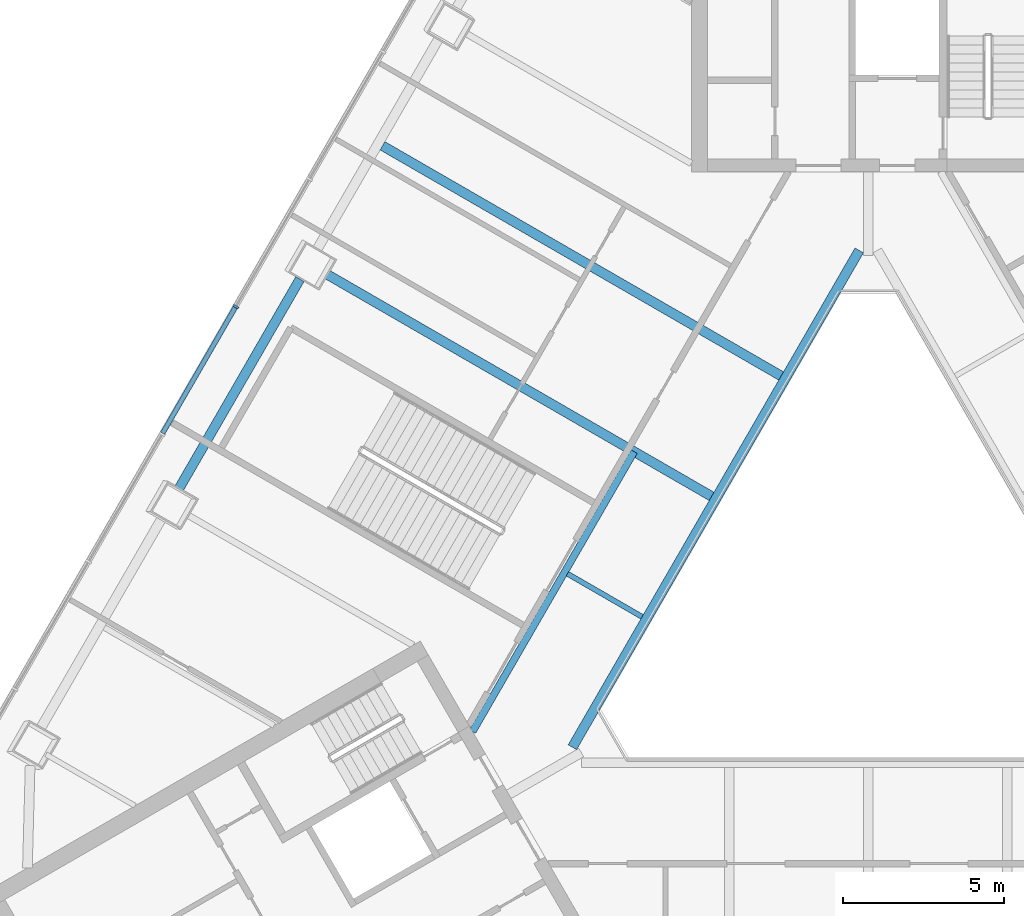
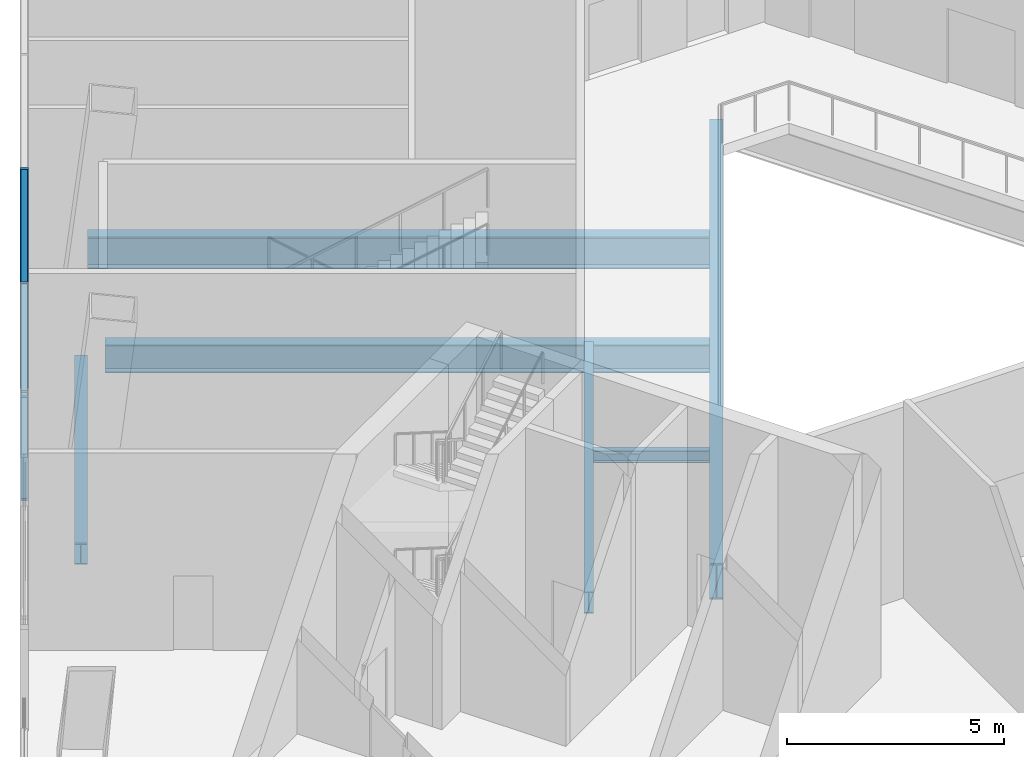
# One storey, part 4 of 17: 6 beams, 4 members, 1 element without a shape of its own.
"""IFC4 building model written with IfcOpenShell, lengths in metres."""

from ifc_helpers import new_model, si_unit, direction, frame, origin, origin_2d, place, context, subcontext, project, spatial, rectangle, i_section, extrude, material, layer, layer_set, material_profile, profile_set, type_object, element, aggregate, save


model = new_model("IFC4")

# Units and contexts
model_context = context("Model", 3, precision=1e-05, world=origin(), true_north=direction((0.0, 1.0)))
body_context = subcontext(model_context, "Body", "Model", "MODEL_VIEW")
ifc_project = project(units=[si_unit("LENGTHUNIT", "METRE"), si_unit("AREAUNIT", "SQUARE_METRE"), si_unit("VOLUMEUNIT", "CUBIC_METRE"), si_unit("PLANEANGLEUNIT", "RADIAN"), si_unit("MASSUNIT", "GRAM", prefix="KILO")], contexts=[model_context])

# Site, building, storey
site_placement = place(None, origin())
site = spatial("IfcSite", under=ifc_project, at=site_placement, CompositionType="ELEMENT")
building_placement = place(site_placement, origin())
building = spatial("IfcBuilding", under=site, at=building_placement, Name="Apuvela Tower Hotel", CompositionType="ELEMENT")
storey_placement = place(building_placement, frame((0.0, 0.0, 9.0)))
storey = spatial("IfcBuildingStorey", under=building, at=storey_placement, Name="L01", CompositionType="ELEMENT", Elevation=9.0)

# Curtain wall, members
ifc_material_1 = material(Name="Aluminium 6063-T6, dark bronze anodised", Category="aluminium")
ifc_layer = layer(ifc_material_1, 0.199951171875)
ifc_layer_set = layer_set([ifc_layer], Name="ENV-CW-P")
curtain_wall_type = type_object("IfcCurtainWallType", Name="ENV-CW-P", PredefinedType="NOTDEFINED", material=ifc_layer_set)
curtain_wall_placement = place(storey_placement, origin())
curtain_wall = element("IfcCurtainWall", 1, at=curtain_wall_placement, inside=storey, type_object=curtain_wall_type, Name="Curtain wall CW-P NW L01", PredefinedType="NOTDEFINED")
ifc_material_profile_1 = material_profile(ifc_material_1, rectangle(XDim=0.199951171875, YDim=0.06494140625, at=origin_2d()), Name="AL 65x200")
ifc_profile_set_1 = profile_set([ifc_material_profile_1], Name="Aluminium 6063-T6, dark bronze anodised")
member_type_1 = type_object("IfcMemberType", Name="ENV-MULLION-65x200", PredefinedType="MULLION", material=ifc_profile_set_1)
member_1_placement = place(storey_placement, frame((-19.657958984375, 8.708251953125, 0.0), z_axis=(0.0, 0.0, 1.0), x_axis=(0.866025428062, -0.49999995795, 0.0)))
member_1 = element("IfcMember", 2, at=member_1_placement, type_object=member_type_1, Name="CW-P mullion 6", PredefinedType="MULLION", context=body_context, shape_type="SweptSolid", body=[
    extrude(rectangle(XDim=0.199951171875, YDim=0.06494140625, at=origin_2d()), origin(), (0.0, 0.0, 1.0), 6.14990234375),
])
ifc_material_profile_2 = material_profile(ifc_material_1, rectangle(XDim=0.14990234375, YDim=0.06494140625, at=origin_2d()), Name="AL 65x150 transom")
ifc_profile_set_2 = profile_set([ifc_material_profile_2], Name="Aluminium 6063-T6, dark bronze anodised")
member_type_2 = type_object("IfcMemberType", Name="ENV-TRANSOM-65x150", PredefinedType="USERDEFINED", material=ifc_profile_set_2)
member_2_placement = place(storey_placement, frame((-19.674072265625, 8.679931640625, 0.032470703125), z_axis=(-0.500022345486, -0.866012502228, 0.0), x_axis=(0.866012502228, -0.500022345486, 0.0)))
member_2 = element("IfcMember", 3, at=member_2_placement, type_object=member_type_2, Name="CW-P transom 6.1", ObjectType="TRANSOM", PredefinedType="USERDEFINED", context=body_context, shape_type="SweptSolid", body=[
    extrude(rectangle(XDim=0.14990234375, YDim=0.06494140625, at=origin_2d()), origin(), (0.0, 0.0, 1.0), 4.510009765625),
])
member_3_placement = place(storey_placement, frame((-19.674072265625, 8.679931640625, 3.074951171875), z_axis=(-0.500022345486, -0.866012502228, 0.0), x_axis=(0.866012502228, -0.500022345486, 0.0)))
member_3 = element("IfcMember", 4, at=member_3_placement, type_object=member_type_2, Name="CW-P transom 6.2", ObjectType="TRANSOM", PredefinedType="USERDEFINED", context=body_context, shape_type="SweptSolid", body=[
    extrude(rectangle(XDim=0.14990234375, YDim=0.06494140625, at=origin_2d()), origin(), (0.0, 0.0, 1.0), 4.510009765625),
])
member_4_placement = place(storey_placement, frame((-19.674072265625, 8.679931640625, 6.117431640625), z_axis=(-0.500022345486, -0.866012502228, 0.0), x_axis=(0.866012502228, -0.500022345486, 0.0)))
member_4 = element("IfcMember", 5, at=member_4_placement, type_object=member_type_2, Name="CW-P transom 6.3", ObjectType="TRANSOM", PredefinedType="USERDEFINED", context=body_context, shape_type="SweptSolid", body=[
    extrude(rectangle(XDim=0.14990234375, YDim=0.06494140625, at=origin_2d()), origin(), (0.0, 0.0, 1.0), 4.510009765625),
])
aggregate(curtain_wall, [member_1, member_2, member_3, member_4])

# Beams
ifc_material_2 = material(Name="Steel S355", Category="steel")
ifc_material_profile_3 = material_profile(ifc_material_2, i_section(OverallWidth=0.300048828125, OverallDepth=0.7900390625, WebThickness=0.014892578125, FlangeThickness=0.028076171875, at=origin_2d()), Name="HE 800 A")
ifc_profile_set_3 = profile_set([ifc_material_profile_3], Name="Steel S355")
beam_type_1 = type_object("IfcBeamType", Name="STR-B floor beam HE 800 A", PredefinedType="BEAM", material=ifc_profile_set_3)
beam_1_placement = place(storey_placement, frame((-16.912109375, 9.76416015625, -0.695068359375), z_axis=(0.866026250868, -0.499998532805, 0.0), x_axis=(0.499998532805, 0.866026250868, 0.0)))
element("IfcBeam", 6, at=beam_1_placement, inside=storey, type_object=beam_type_1, Name="Floor beam B5 NW5", PredefinedType="BEAM", context=body_context, shape_type="SweptSolid", body=[
    extrude(i_section(OverallWidth=0.300048828125, OverallDepth=0.7900390625, WebThickness=0.014892578125, FlangeThickness=0.028076171875, at=origin_2d()), origin(), (0.0, 0.0, 1.0), 13.90625),
])
ifc_material_profile_4 = material_profile(ifc_material_2, i_section(OverallWidth=0.300048828125, OverallDepth=0.889892578125, WebThickness=0.01611328125, FlangeThickness=0.030029296875, at=origin_2d()), Name="HE 900 A")
ifc_profile_set_4 = profile_set([ifc_material_profile_4], Name="Steel S355")
beam_type_2 = type_object("IfcBeamType", Name="STR-B floor beam HE 900 A", PredefinedType="BEAM", material=ifc_profile_set_4)
beam_2_placement = place(storey_placement, frame((-15.097412109375, 13.70703125, -0.7451171875), z_axis=(0.866028148673, -0.499995245684, 0.0), x_axis=(0.499995245684, 0.866028148673, 0.0)))
element("IfcBeam", 7, at=beam_2_placement, inside=storey, type_object=beam_type_2, Name="Floor beam B4 NW4", PredefinedType="BEAM", context=body_context, shape_type="SweptSolid", body=[
    extrude(i_section(OverallWidth=0.300048828125, OverallDepth=0.889892578125, WebThickness=0.01611328125, FlangeThickness=0.030029296875, at=origin_2d()), origin(), (0.0, 0.0, 1.0), 14.306396484375),
])
ifc_material_profile_5 = material_profile(ifc_material_2, i_section(OverallWidth=0.159912109375, OverallDepth=0.330078125, WebThickness=0.007568359375, FlangeThickness=0.011474609375, at=origin_2d()), Name="IPE 330")
ifc_profile_set_5 = profile_set([ifc_material_profile_5], Name="Steel S355")
beam_type_3 = type_object("IfcBeamType", Name="STR-B floor beam IPE 330", PredefinedType="BEAM", material=ifc_profile_set_5)
beam_3_placement = place(storey_placement, frame((-9.34912109375, 0.406982421875, -0.465087890625), z_axis=(0.866058069904, -0.499943416353, 0.0), x_axis=(0.499943416353, 0.866058069904, 0.0)))
element("IfcBeam", 8, at=beam_3_placement, inside=storey, type_object=beam_type_3, Name="Floor beam B1 NW6", PredefinedType="BEAM", context=body_context, shape_type="SweptSolid", body=[
    extrude(i_section(OverallWidth=0.159912109375, OverallDepth=0.330078125, WebThickness=0.007568359375, FlangeThickness=0.011474609375, at=origin_2d()), origin(), (0.0, 0.0, 1.0), 2.677978515625),
])
ifc_material_profile_6 = material_profile(ifc_material_2, i_section(OverallWidth=0.302001953125, OverallDepth=1.008056640625, WebThickness=0.02099609375, FlangeThickness=0.0400390625, at=origin_2d()), Name="HE 1000 M")
ifc_profile_set_6 = profile_set([ifc_material_profile_6], Name="Steel S355")
beam_type_4 = type_object("IfcBeamType", Name="STR-G atrium ring girder HE 1000 M", PredefinedType="BEAM", material=ifc_profile_set_6)
beam_4_placement = place(storey_placement, frame((-0.28076171875, 10.455810546875, -0.803955078125), z_axis=(-0.500000611842, -0.866025050537, 0.0), x_axis=(0.866025050537, -0.500000611842, 0.0)))
element("IfcBeam", 9, at=beam_4_placement, inside=storey, type_object=beam_type_4, Name="Atrium ring girder G1 N-SW", PredefinedType="BEAM", context=body_context, shape_type="SweptSolid", body=[
    extrude(i_section(OverallWidth=0.302001953125, OverallDepth=1.008056640625, WebThickness=0.02099609375, FlangeThickness=0.0400390625, at=origin_2d()), origin(), (0.0, 0.0, 1.0), 17.8291015625),
])
ifc_material_profile_7 = material_profile(ifc_material_2, i_section(OverallWidth=0.300048828125, OverallDepth=0.60009765625, WebThickness=0.015380859375, FlangeThickness=0.030029296875, at=origin_2d()), Name="HE 600 B")
ifc_profile_set_7 = profile_set([ifc_material_profile_7], Name="Steel S355")
beam_type_5 = type_object("IfcBeamType", Name="STR-SB spandrel beam HE 600 B", PredefinedType="SPANDREL", material=ifc_profile_set_7)
beam_5_placement = place(storey_placement, frame((-17.663330078125, 9.562744140625, -0.60009765625), z_axis=(-0.500016605963, -0.866015816115, 0.0), x_axis=(0.866015816115, -0.500016605963, 0.0)))
element("IfcBeam", 10, at=beam_5_placement, inside=storey, type_object=beam_type_5, Name="Spandrel beam SB1 NW3", PredefinedType="SPANDREL", context=body_context, shape_type="SweptSolid", body=[
    extrude(i_section(OverallWidth=0.300048828125, OverallDepth=0.60009765625, WebThickness=0.015380859375, FlangeThickness=0.030029296875, at=origin_2d()), origin(), (0.0, 0.0, 1.0), 7.543701171875),
])
ifc_material_profile_8 = material_profile(ifc_material_2, i_section(OverallWidth=0.219970703125, OverallDepth=0.60009765625, WebThickness=0.011962890625, FlangeThickness=0.01904296875, at=origin_2d()), Name="IPE 600")
ifc_profile_set_8 = profile_set([ifc_material_profile_8], Name="Steel S355")
beam_type_6 = type_object("IfcBeamType", Name="STR-TB stair trimmer beam IPE 600", PredefinedType="BEAM", material=ifc_profile_set_8)
beam_6_placement = place(storey_placement, frame((-7.274658203125, 4.199951171875, -0.60009765625), z_axis=(-0.500002244785, -0.866024107753, 0.0), x_axis=(0.866024107753, -0.500002244785, 0.0)))
element("IfcBeam", 11, at=beam_6_placement, inside=storey, type_object=beam_type_6, Name="Stair trimmer beam TB1 PS2", PredefinedType="BEAM", context=body_context, shape_type="SweptSolid", body=[
    extrude(i_section(OverallWidth=0.219970703125, OverallDepth=0.60009765625, WebThickness=0.011962890625, FlangeThickness=0.01904296875, at=origin_2d()), origin(), (0.0, 0.0, 1.0), 10.0458984375),
])

save(model, "model.ifc")
